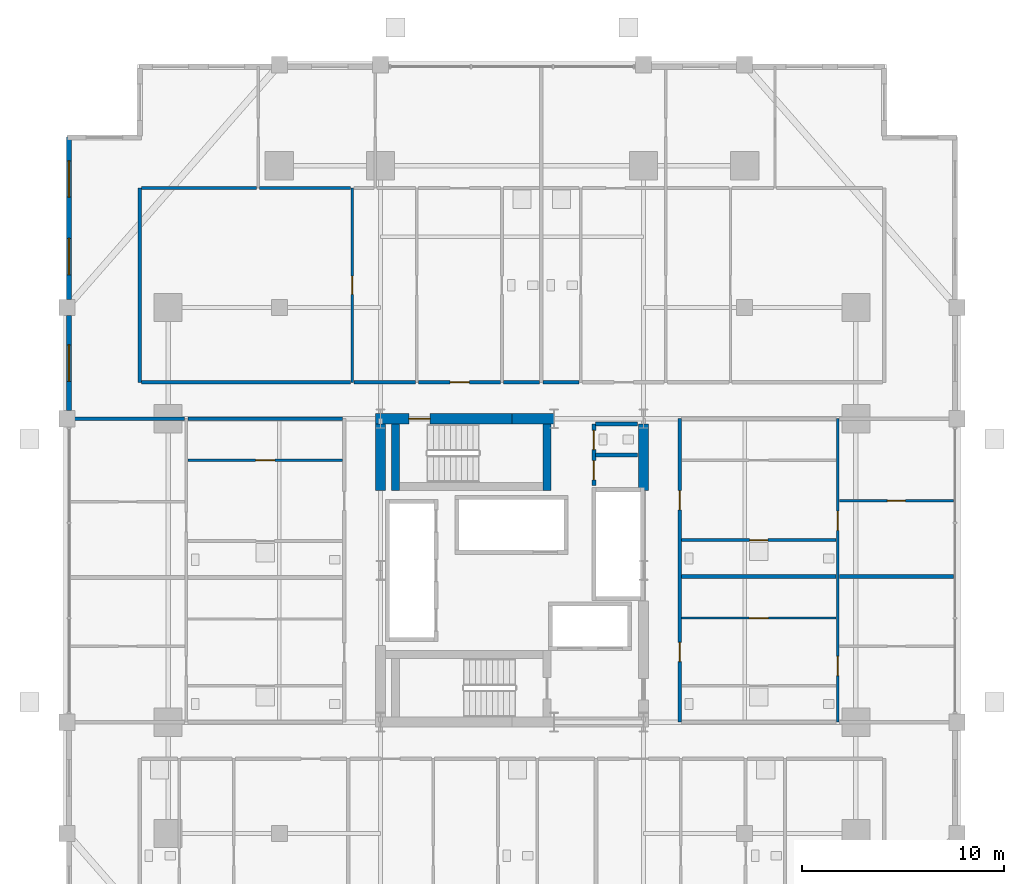
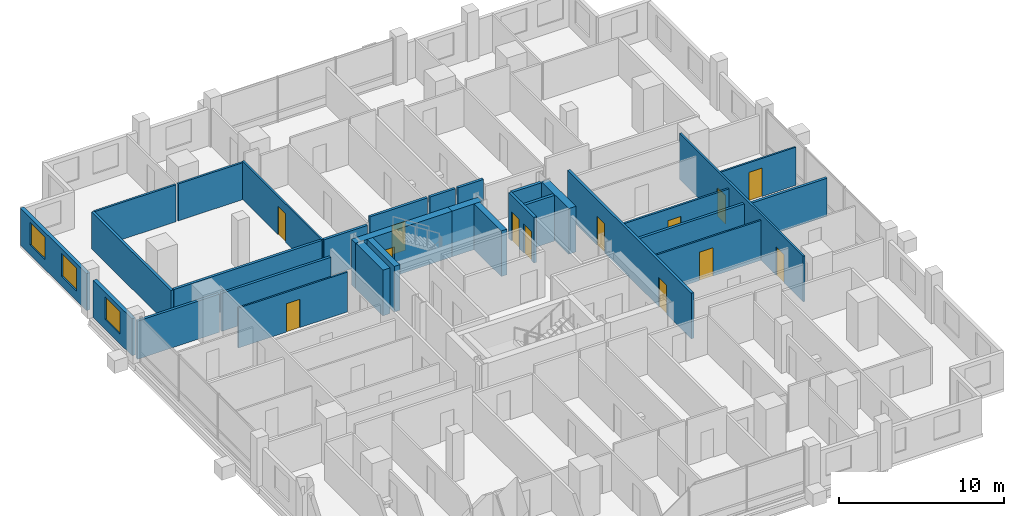
# One storey, part 20 of 24: 30 walls, 13 doors, 3 windows, 16 openings.
"""IFC4 building model written with IfcOpenShell, lengths in metres."""

from ifc_helpers import new_model, si_unit, direction, frame, frame_2d, origin, place, context, subcontext, project, spatial, rectangle, extrude, material, layer, layer_set, type_object, element, fill, save


model = new_model("IFC4")

# Units and contexts
model_context = context("Model", 3, precision=1e-05, world=origin(), true_north=direction((0.0, 1.0)))
body_context = subcontext(model_context, "Body", "Model", "MODEL_VIEW")
ifc_project = project(units=[si_unit("LENGTHUNIT", "METRE"), si_unit("AREAUNIT", "SQUARE_METRE"), si_unit("VOLUMEUNIT", "CUBIC_METRE"), si_unit("PLANEANGLEUNIT", "RADIAN"), si_unit("MASSUNIT", "GRAM", prefix="KILO")], contexts=[model_context])

# Site, building, storey
site_placement = place(None, origin())
site = spatial("IfcSite", under=ifc_project, at=site_placement, CompositionType="ELEMENT")
building_placement = place(site_placement, origin())
building = spatial("IfcBuilding", under=site, at=building_placement, Name="Barlavira Tower and Art Museum", CompositionType="ELEMENT")
storey_placement = place(building_placement, frame((0.0, 0.0, 32.39990234375)))
storey = spatial("IfcBuildingStorey", under=building, at=storey_placement, Name="L06", CompositionType="ELEMENT", Elevation=32.39990234375)

# Wall, opening, door
ifc_material_1 = material(Name="Gypsum acoustic stud partition", Category="gypsum")
ifc_layer_1 = layer(ifc_material_1, 0.1201171875, Name="Gypsum acoustic stud partition")
ifc_layer_set_1 = layer_set([ifc_layer_1], Name="Gypsum acoustic stud partition")
wall_type_1 = type_object("IfcWallType", Name="Apartment Internal Acoustic Partition 120", PredefinedType="PARTITIONING", material=ifc_layer_set_1)
wall_1_placement = place(storey_placement, frame((-7.89990234375, 9.300048828125, 0.0), z_axis=(0.0, 0.0, 1.0), x_axis=(0.0, 1.0, 0.0)))
wall_1 = element("IfcWall", 1, at=wall_1_placement, inside=storey, type_object=wall_type_1, Name="L06 Partition Wall 11", PredefinedType="PARTITIONING", context=body_context, shape_type="SweptSolid", body=[
    extrude(rectangle(XDim=9.599853515625, YDim=0.1201171875, at=frame_2d((4.7998046875, 0.0))), origin(), (0.0, 0.0, 1.0), 2.816162109375),
])
opening_1_placement = place(wall_1_placement, frame((4.35009765625, 0.0, 0.0)))
opening_1 = element("IfcOpeningElement", 2, at=opening_1_placement, cuts=wall_1, Name="Opening D-01", PredefinedType="OPENING", context=body_context, shape_type="SweptSolid", body=[
    extrude(rectangle(XDim=0.89990234375, YDim=2.10009765625, at=frame_2d((0.449951171875, 1.050048828125))), frame((0.0, 0.070068359375, 0.0), z_axis=(0.0, -1.0, 0.0), x_axis=(1.0, 0.0, 0.0)), (0.0, 0.0, 1.0), 0.14013671875),
])
ifc_material_2 = material(Name="Engineered coastal hardwood", Category="wood")
door_type_1 = type_object("IfcDoorType", Name="Internal Bedroom Timber Flush Door 900x2100", OperationType="NOTDEFINED", PredefinedType="DOOR", material=ifc_material_2)
door_1_placement = place(opening_1_placement, origin())
door_1 = element("IfcDoor", 3, at=door_1_placement, inside=storey, type_object=door_type_1, Name="Apartment N1 Walk-In Dressing Room Door", OperationType="SINGLE_SWING_RIGHT", OverallHeight=2.10009765625, OverallWidth=0.89990234375, PredefinedType="DOOR", context=body_context, shape_type="SweptSolid", body=[
    extrude(rectangle(XDim=0.89990234375, YDim=2.10009765625, at=frame_2d((0.449951171875, 1.050048828125))), frame((0.0, 0.02490234375, 0.0), z_axis=(0.0, -1.0, 0.0), x_axis=(1.0, 0.0, 0.0)), (0.0, 0.0, 1.0), 0.050048828125),
])
fill(opening_1, door_1)

wall_2_placement = place(storey_placement, frame((8.3798828125, -2.35009765625, 0.0), z_axis=(0.0, 0.0, 1.0), x_axis=(1.0, 0.0, 0.0)))
wall_2 = element("IfcWall", 4, at=wall_2_placement, inside=storey, type_object=wall_type_1, Name="L06 Partition Wall 67", PredefinedType="PARTITIONING", context=body_context, shape_type="SweptSolid", body=[
    extrude(rectangle(XDim=7.64013671875, YDim=0.1201171875, at=frame_2d((3.820068359375, 0.0))), origin(), (0.0, 0.0, 1.0), 2.947998046875),
])
opening_2_placement = place(wall_2_placement, frame((3.344970703125, 0.0, 0.0)))
opening_2 = element("IfcOpeningElement", 5, at=opening_2_placement, cuts=wall_2, Name="Opening D-02", PredefinedType="OPENING", context=body_context, shape_type="SweptSolid", body=[
    extrude(rectangle(XDim=0.949951171875, YDim=2.10009765625, at=frame_2d((0.47509765625, 1.050048828125))), frame((0.0, 0.070068359375, 0.0), z_axis=(0.0, -1.0, 0.0), x_axis=(1.0, 0.0, 0.0)), (0.0, 0.0, 1.0), 0.14013671875),
])
door_type_2 = type_object("IfcDoorType", Name="Living and Salon Glazed-Leaf Door 950x2100", OperationType="NOTDEFINED", PredefinedType="DOOR", material=ifc_material_2)
door_2_placement = place(opening_2_placement, origin())
door_2 = element("IfcDoor", 6, at=door_2_placement, inside=storey, type_object=door_type_2, Name="Apartment E1 Kitchen Door", OperationType="SINGLE_SWING_LEFT", OverallHeight=2.10009765625, OverallWidth=0.949951171875, PredefinedType="DOOR", context=body_context, shape_type="SweptSolid", body=[
    extrude(rectangle(XDim=0.949951171875, YDim=2.10009765625, at=frame_2d((0.47509765625, 1.050048828125))), frame((0.0, 0.02490234375, 0.0), z_axis=(0.0, -1.0, 0.0), x_axis=(1.0, 0.0, 0.0)), (0.0, 0.0, 1.0), 0.050048828125),
])
fill(opening_2, door_2)

wall_3_placement = place(storey_placement, frame((16.179931640625, 3.449951171875, 0.0), z_axis=(0.0, 0.0, 1.0), x_axis=(1.0, 0.0, 0.0)))
wall_3 = element("IfcWall", 7, at=wall_3_placement, inside=storey, type_object=wall_type_1, Name="L06 Partition Wall 75", PredefinedType="PARTITIONING", context=body_context, shape_type="SweptSolid", body=[
    extrude(rectangle(XDim=5.64013671875, YDim=0.1201171875, at=frame_2d((2.820068359375, 0.0))), origin(), (0.0, 0.0, 1.0), 2.816162109375),
])
opening_3_placement = place(wall_3_placement, frame((2.3701171875, 0.0, 0.0)))
opening_3 = element("IfcOpeningElement", 8, at=opening_3_placement, cuts=wall_3, Name="Opening D-01", PredefinedType="OPENING", context=body_context, shape_type="SweptSolid", body=[
    extrude(rectangle(XDim=0.89990234375, YDim=2.10009765625, at=frame_2d((0.449951171875, 1.050048828125))), frame((0.0, 0.070068359375, 0.0), z_axis=(0.0, -1.0, 0.0), x_axis=(1.0, 0.0, 0.0)), (0.0, 0.0, 1.0), 0.14013671875),
])
door_3_placement = place(opening_3_placement, origin())
door_3 = element("IfcDoor", 9, at=door_3_placement, inside=storey, type_object=door_type_1, Name="Apartment E2 Bedroom 1 Door", OperationType="SINGLE_SWING_RIGHT", OverallHeight=2.10009765625, OverallWidth=0.89990234375, PredefinedType="DOOR", context=body_context, shape_type="SweptSolid", body=[
    extrude(rectangle(XDim=0.89990234375, YDim=2.10009765625, at=frame_2d((0.449951171875, 1.050048828125))), frame((0.0, 0.02490234375, 0.0), z_axis=(0.0, -1.0, 0.0), x_axis=(1.0, 0.0, 0.0)), (0.0, 0.0, 1.0), 0.050048828125),
])
fill(opening_3, door_3)

wall_4_placement = place(storey_placement, frame((-16.02001953125, 5.449951171875, 0.0), z_axis=(0.0, 0.0, 1.0), x_axis=(1.0, 0.0, 0.0)))
wall_4 = element("IfcWall", 10, at=wall_4_placement, inside=storey, type_object=wall_type_1, Name="L06 Partition Wall 76", PredefinedType="PARTITIONING", context=body_context, shape_type="SweptSolid", body=[
    extrude(rectangle(XDim=7.64013671875, YDim=0.1201171875, at=frame_2d((3.820068359375, 0.0))), origin(), (0.0, 0.0, 1.0), 2.947998046875),
])
opening_4_placement = place(wall_4_placement, frame((3.344970703125, 0.0, 0.0)))
opening_4 = element("IfcOpeningElement", 11, at=opening_4_placement, cuts=wall_4, Name="Opening D-02", PredefinedType="OPENING", context=body_context, shape_type="SweptSolid", body=[
    extrude(rectangle(XDim=0.949951171875, YDim=2.10009765625, at=frame_2d((0.47509765625, 1.050048828125))), frame((0.0, 0.070068359375, 0.0), z_axis=(0.0, -1.0, 0.0), x_axis=(1.0, 0.0, 0.0)), (0.0, 0.0, 1.0), 0.14013671875),
])
door_4_placement = place(opening_4_placement, origin())
door_4 = element("IfcDoor", 12, at=door_4_placement, inside=storey, type_object=door_type_2, Name="Apartment W2 Kitchen Door", OperationType="SINGLE_SWING_RIGHT", OverallHeight=2.10009765625, OverallWidth=0.949951171875, PredefinedType="DOOR", context=body_context, shape_type="SweptSolid", body=[
    extrude(rectangle(XDim=0.949951171875, YDim=2.10009765625, at=frame_2d((0.47509765625, 1.050048828125))), frame((0.0, 0.02490234375, 0.0), z_axis=(0.0, -1.0, 0.0), x_axis=(1.0, 0.0, 0.0)), (0.0, 0.0, 1.0), 0.050048828125),
])
fill(opening_4, door_4)

ifc_material_3 = material(Name="Concrete C60", Category="concrete")
ifc_layer_2 = layer(ifc_material_3, 0.5, Name="Concrete C60")
ifc_layer_set_2 = layer_set([ifc_layer_2], Name="Concrete C60")
wall_type_2 = type_object("IfcWallType", Name="Core Structural Shear Wall 500 Concrete C60", PredefinedType="SHEAR", material=ifc_layer_set_2)
wall_5_placement = place(storey_placement, frame((-6.75, 7.5, 0.0), z_axis=(0.0, 0.0, 1.0), x_axis=(1.0, 0.0, 0.0)))
wall_5 = element("IfcWall", 13, at=wall_5_placement, inside=storey, type_object=wall_type_2, Name="L06 Core Shear Wall CS-NW", PredefinedType="SHEAR", context=body_context, shape_type="SweptSolid", body=[
    extrude(rectangle(XDim=6.75, YDim=0.5, at=frame_2d((3.375, 0.0))), origin(), (0.0, 0.0, 1.0), 3.380126953125),
])
opening_5_placement = place(wall_5_placement, frame((1.64990234375, 0.0, 0.0)))
opening_5 = element("IfcOpeningElement", 14, at=opening_5_placement, cuts=wall_5, Name="Opening FD-90", PredefinedType="OPENING", context=body_context, shape_type="SweptSolid", body=[
    extrude(rectangle(XDim=1.050048828125, YDim=2.14990234375, at=frame_2d((0.52490234375, 1.074951171875))), frame((0.0, 0.260009765625, 0.0), z_axis=(0.0, -1.0, 0.0), x_axis=(1.0, 0.0, 0.0)), (0.0, 0.0, 1.0), 0.52001953125),
])
ifc_material_4 = material(Name="Brushed stainless steel", Category="steel")
door_type_3 = type_object("IfcDoorType", Name="Stair and Refuge Fire Door 1050x2150 FD90S", OperationType="NOTDEFINED", PredefinedType="DOOR", material=ifc_material_4)
door_5_placement = place(opening_5_placement, origin())
door_5 = element("IfcDoor", 15, at=door_5_placement, inside=storey, type_object=door_type_3, Name="L06 Stair ST-T2 Fire Door", OperationType="SINGLE_SWING_LEFT", OverallHeight=2.14990234375, OverallWidth=1.050048828125, PredefinedType="DOOR", context=body_context, shape_type="SweptSolid", body=[
    extrude(rectangle(XDim=1.050048828125, YDim=2.14990234375, at=frame_2d((0.52490234375, 1.074951171875))), frame((0.0, 0.02490234375, 0.0), z_axis=(0.0, -1.0, 0.0), x_axis=(1.0, 0.0, 0.0)), (0.0, 0.0, 1.0), 0.050048828125),
])
fill(opening_5, door_5)

# Walls
wall_6_placement = place(storey_placement, frame((0.0, 7.5, 0.0), z_axis=(0.0, 0.0, 1.0), x_axis=(1.0, 0.0, 0.0)))
element("IfcWall", 16, at=wall_6_placement, inside=storey, type_object=wall_type_2, Name="L06 Core Shear Wall CS-EN", PredefinedType="SHEAR", context=body_context, shape_type="SweptSolid", body=[
    extrude(rectangle(XDim=2.080078125, YDim=0.5, at=frame_2d((1.0400390625, 0.0))), origin(), (0.0, 0.0, 1.0), 3.380126953125),
])
for number, where, z_axis, x_axis, name in (
    (17, (-6.5, 3.949951171875, 0.0), (0.0, 0.0, 1.0), (0.0, 1.0, 0.0), "L06 Core Shear Wall CS-W2"),
    (18, (6.5, 3.949951171875, 0.0), (0.0, 0.0, 1.0), (0.0, 1.0, 0.0), "L06 Core Shear Wall CS-E2"),
):
    element("IfcWall", number, at=place(storey_placement, frame(where, z_axis=z_axis, x_axis=x_axis)), inside=storey, type_object=wall_type_2, Name=name, PredefinedType="SHEAR", context=body_context, shape_type="SweptSolid", body=[
        extrude(rectangle(XDim=3.300048828125, YDim=0.5, at=frame_2d((1.64990234375, 0.0))), origin(), (0.0, 0.0, 1.0), 3.380126953125),
    ])

# Wall, openings, doors
ifc_material_5 = material(Name="Autoclaved aerated concrete masonry", Category="masonry")
ifc_layer_3 = layer(ifc_material_5, 0.199951171875, Name="Autoclaved aerated concrete masonry")
ifc_layer_set_3 = layer_set([ifc_layer_3], Name="Autoclaved aerated concrete masonry")
wall_type_3 = type_object("IfcWallType", Name="Fire Compartment and Shaft Wall 200", PredefinedType="SOLIDWALL", material=ifc_layer_set_3)
wall_7_placement = place(storey_placement, frame((4.050048828125, 4.199951171875, 0.0), z_axis=(0.0, 0.0, 1.0), x_axis=(0.0, 1.0, 0.0)))
wall_7 = element("IfcWall", 19, at=wall_7_placement, inside=storey, type_object=wall_type_3, Name="L06 Partition Wall 20", PredefinedType="SOLIDWALL", context=body_context, shape_type="SweptSolid", body=[
    extrude(rectangle(XDim=3.050048828125, YDim=0.199951171875, at=frame_2d((1.52490234375, 0.0))), origin(), (0.0, 0.0, 1.0), 3.380126953125),
])
opening_6_placement = place(wall_7_placement, frame((0.27490234375, 0.0, 0.0)))
opening_6 = element("IfcOpeningElement", 20, at=opening_6_placement, cuts=wall_7, Name="Opening FD-60", PredefinedType="OPENING", context=body_context, shape_type="SweptSolid", body=[
    extrude(rectangle(XDim=0.949951171875, YDim=2.14990234375, at=frame_2d((0.47509765625, 1.074951171875))), frame((0.0, 0.10986328125, 0.0), z_axis=(0.0, -1.0, 0.0), x_axis=(1.0, 0.0, 0.0)), (0.0, 0.0, 1.0), 0.219970703125),
])
opening_7_placement = place(wall_7_placement, frame((1.77490234375, 0.0, 0.0)))
opening_7 = element("IfcOpeningElement", 21, at=opening_7_placement, cuts=wall_7, Name="Opening FD-60", PredefinedType="OPENING", context=body_context, shape_type="SweptSolid", body=[
    extrude(rectangle(XDim=0.949951171875, YDim=2.14990234375, at=frame_2d((0.47509765625, 1.074951171875))), frame((0.0, 0.10986328125, 0.0), z_axis=(0.0, -1.0, 0.0), x_axis=(1.0, 0.0, 0.0)), (0.0, 0.0, 1.0), 0.219970703125),
])
door_type_4 = type_object("IfcDoorType", Name="Apartment Entrance and Riser Fire Door 950x2150 FD60S", OperationType="NOTDEFINED", PredefinedType="DOOR", material=ifc_material_4)
door_6_placement = place(opening_6_placement, origin())
door_6 = element("IfcDoor", 22, at=door_6_placement, inside=storey, type_object=door_type_4, Name="Electrical Switchgear Room Door", OperationType="SINGLE_SWING_LEFT", OverallHeight=2.14990234375, OverallWidth=0.949951171875, PredefinedType="DOOR", context=body_context, shape_type="SweptSolid", body=[
    extrude(rectangle(XDim=0.949951171875, YDim=2.14990234375, at=frame_2d((0.47509765625, 1.074951171875))), frame((0.0, 0.02490234375, 0.0), z_axis=(0.0, -1.0, 0.0), x_axis=(1.0, 0.0, 0.0)), (0.0, 0.0, 1.0), 0.050048828125),
])
fill(opening_6, door_6)
door_7_placement = place(opening_7_placement, origin())
door_7 = element("IfcDoor", 23, at=door_7_placement, inside=storey, type_object=door_type_4, Name="Core Staff Toilet Door", OperationType="SINGLE_SWING_RIGHT", OverallHeight=2.14990234375, OverallWidth=0.949951171875, PredefinedType="DOOR", context=body_context, shape_type="SweptSolid", body=[
    extrude(rectangle(XDim=0.949951171875, YDim=2.14990234375, at=frame_2d((0.47509765625, 1.074951171875))), frame((0.0, 0.02490234375, 0.0), z_axis=(0.0, -1.0, 0.0), x_axis=(1.0, 0.0, 0.0)), (0.0, 0.0, 1.0), 0.050048828125),
])
fill(opening_7, door_7)

# Walls
for number, where, z_axis, x_axis, name in (
    (24, (4.1298828125, 5.699951171875, 0.0), (0.0, 0.0, 1.0), (1.0, 0.0, 0.0), "L06 Partition Wall 78"),
    (25, (4.1298828125, 7.25, 0.0), (0.0, 0.0, 1.0), (1.0, 0.0, 0.0), "L06 Partition Wall 79"),
):
    element("IfcWall", number, at=place(storey_placement, frame(where, z_axis=z_axis, x_axis=x_axis)), inside=storey, type_object=wall_type_3, Name=name, PredefinedType="SOLIDWALL", context=body_context, shape_type="SweptSolid", body=[
        extrude(rectangle(XDim=2.070068359375, YDim=0.199951171875, at=frame_2d((1.03515625, 0.0))), origin(), (0.0, 0.0, 1.0), 3.380126953125),
    ])
ifc_layer_4 = layer(ifc_material_1, 0.179931640625, Name="Gypsum acoustic stud partition")
ifc_layer_set_4 = layer_set([ifc_layer_4], Name="Gypsum acoustic stud partition")
wall_type_4 = type_object("IfcWallType", Name="Inter-Tenancy Party Partition Wall 180", PredefinedType="PARTITIONING", material=ifc_layer_set_4)
wall_8_placement = place(storey_placement, frame((-18.39990234375, 9.300048828125, 0.0), z_axis=(0.0, 0.0, 1.0), x_axis=(0.0, 1.0, 0.0)))
element("IfcWall", 26, at=wall_8_placement, inside=storey, type_object=wall_type_4, Name="L06 Partition Wall 2", PredefinedType="PARTITIONING", context=body_context, shape_type="SweptSolid", body=[
    extrude(rectangle(XDim=9.599853515625, YDim=0.179931640625, at=frame_2d((4.7998046875, 0.0))), origin(), (0.0, 0.0, 1.0), 2.736083984375),
])

# Wall, openings, doors
wall_9_placement = place(storey_placement, frame((8.300048828125, -7.5, 0.0), z_axis=(0.0, 0.0, 1.0), x_axis=(0.0, 1.0, 0.0)))
wall_9 = element("IfcWall", 27, at=wall_9_placement, inside=storey, type_object=wall_type_4, Name="L06 Partition Wall 23", PredefinedType="PARTITIONING", context=body_context, shape_type="SweptSolid", body=[
    extrude(rectangle(XDim=15.0, YDim=0.179931640625, at=frame_2d((7.5, 0.0))), origin(), (0.0, 0.0, 1.0), 3.380126953125),
])
opening_8_placement = place(wall_9_placement, frame((2.9951171875, 0.0, 0.0)))
opening_8 = element("IfcOpeningElement", 28, at=opening_8_placement, cuts=wall_9, Name="Opening FD-60", PredefinedType="OPENING", context=body_context, shape_type="SweptSolid", body=[
    extrude(rectangle(XDim=0.949951171875, YDim=2.14990234375, at=frame_2d((0.47509765625, 1.074951171875))), frame((0.0, 0.10009765625, 0.0), z_axis=(0.0, -1.0, 0.0), x_axis=(1.0, 0.0, 0.0)), (0.0, 0.0, 1.0), 0.199951171875),
])
opening_9_placement = place(wall_9_placement, frame((10.4951171875, 0.0, 0.0)))
opening_9 = element("IfcOpeningElement", 29, at=opening_9_placement, cuts=wall_9, Name="Opening FD-60", PredefinedType="OPENING", context=body_context, shape_type="SweptSolid", body=[
    extrude(rectangle(XDim=0.949951171875, YDim=2.14990234375, at=frame_2d((0.47509765625, 1.074951171875))), frame((0.0, 0.10009765625, 0.0), z_axis=(0.0, -1.0, 0.0), x_axis=(1.0, 0.0, 0.0)), (0.0, 0.0, 1.0), 0.199951171875),
])
door_8_placement = place(opening_8_placement, origin())
door_8 = element("IfcDoor", 30, at=door_8_placement, inside=storey, type_object=door_type_4, Name="Apartment Entrance Hall E1 Door", OperationType="SINGLE_SWING_RIGHT", OverallHeight=2.14990234375, OverallWidth=0.949951171875, PredefinedType="DOOR", context=body_context, shape_type="SweptSolid", body=[
    extrude(rectangle(XDim=0.949951171875, YDim=2.14990234375, at=frame_2d((0.47509765625, 1.074951171875))), frame((0.0, 0.02490234375, 0.0), z_axis=(0.0, -1.0, 0.0), x_axis=(1.0, 0.0, 0.0)), (0.0, 0.0, 1.0), 0.050048828125),
])
fill(opening_8, door_8)
door_9_placement = place(opening_9_placement, origin())
door_9 = element("IfcDoor", 31, at=door_9_placement, inside=storey, type_object=door_type_4, Name="Apartment Entrance Hall E2 Door", OperationType="SINGLE_SWING_LEFT", OverallHeight=2.14990234375, OverallWidth=0.949951171875, PredefinedType="DOOR", context=body_context, shape_type="SweptSolid", body=[
    extrude(rectangle(XDim=0.949951171875, YDim=2.14990234375, at=frame_2d((0.47509765625, 1.074951171875))), frame((0.0, 0.02490234375, 0.0), z_axis=(0.0, -1.0, 0.0), x_axis=(1.0, 0.0, 0.0)), (0.0, 0.0, 1.0), 0.050048828125),
])
fill(opening_9, door_9)

# Walls
wall_10_placement = place(storey_placement, frame((8.3798828125, -0.300048828125, 0.0), z_axis=(0.0, 0.0, 1.0), x_axis=(1.0, 0.0, 0.0)))
element("IfcWall", 32, at=wall_10_placement, inside=storey, type_object=wall_type_4, Name="L06 Partition Wall 70", PredefinedType="PARTITIONING", context=body_context, shape_type="SweptSolid", body=[
    extrude(rectangle(XDim=7.64013671875, YDim=0.179931640625, at=frame_2d((3.820068359375, 0.0))), origin(), (0.0, 0.0, 1.0), 2.947998046875),
])
wall_11_placement = place(storey_placement, frame((16.179931640625, -0.300048828125, 0.0), z_axis=(0.0, 0.0, 1.0), x_axis=(1.0, 0.0, 0.0)))
element("IfcWall", 33, at=wall_11_placement, inside=storey, type_object=wall_type_4, Name="L06 Partition Wall 71", PredefinedType="PARTITIONING", context=body_context, shape_type="SweptSolid", body=[
    extrude(rectangle(XDim=5.64013671875, YDim=0.179931640625, at=frame_2d((2.820068359375, 0.0))), origin(), (0.0, 0.0, 1.0), 2.816162109375),
])
wall_12_placement = place(storey_placement, frame((-21.89990234375, 7.5, 0.0), z_axis=(0.0, 0.0, 1.0), x_axis=(1.0, 0.0, 0.0)))
element("IfcWall", 34, at=wall_12_placement, inside=storey, type_object=wall_type_4, Name="L06 Partition Wall 80", PredefinedType="PARTITIONING", context=body_context, shape_type="SweptSolid", body=[
    extrude(rectangle(XDim=5.719970703125, YDim=0.179931640625, at=frame_2d((2.85986328125, 0.0))), origin(), (0.0, 0.0, 1.0), 2.816162109375),
])
wall_13_placement = place(storey_placement, frame((-16.02001953125, 7.5, 0.0), z_axis=(0.0, 0.0, 1.0), x_axis=(1.0, 0.0, 0.0)))
element("IfcWall", 35, at=wall_13_placement, inside=storey, type_object=wall_type_4, Name="L06 Partition Wall 81", PredefinedType="PARTITIONING", context=body_context, shape_type="SweptSolid", body=[
    extrude(rectangle(XDim=7.64013671875, YDim=0.179931640625, at=frame_2d((3.820068359375, 0.0))), origin(), (0.0, 0.0, 1.0), 2.816162109375),
])
wall_14_placement = place(storey_placement, frame((-18.320068359375, 9.300048828125, 0.0), z_axis=(0.0, 0.0, 1.0), x_axis=(1.0, 0.0, 0.0)))
element("IfcWall", 36, at=wall_14_placement, inside=storey, type_object=wall_type_4, Name="L06 Partition Wall 84", PredefinedType="PARTITIONING", context=body_context, shape_type="SweptSolid", body=[
    extrude(rectangle(XDim=10.340087890625, YDim=0.179931640625, at=frame_2d((5.169921875, 0.0))), origin(), (0.0, 0.0, 1.0), 2.816162109375),
])
wall_15_placement = place(storey_placement, frame((-7.820068359375, 9.300048828125, 0.0), z_axis=(0.0, 0.0, 1.0), x_axis=(1.0, 0.0, 0.0)))
element("IfcWall", 37, at=wall_15_placement, inside=storey, type_object=wall_type_4, Name="L06 Partition Wall 85", PredefinedType="PARTITIONING", context=body_context, shape_type="SweptSolid", body=[
    extrude(rectangle(XDim=3.0400390625, YDim=0.179931640625, at=frame_2d((1.52001953125, 0.0))), origin(), (0.0, 0.0, 1.0), 2.816162109375),
])

# Wall, opening, door
wall_16_placement = place(storey_placement, frame((-4.6201171875, 9.300048828125, 0.0), z_axis=(0.0, 0.0, 1.0), x_axis=(1.0, 0.0, 0.0)))
wall_16 = element("IfcWall", 38, at=wall_16_placement, inside=storey, type_object=wall_type_4, Name="L06 Partition Wall 86", PredefinedType="PARTITIONING", context=body_context, shape_type="SweptSolid", body=[
    extrude(rectangle(XDim=4.0400390625, YDim=0.179931640625, at=frame_2d((2.02001953125, 0.0))), origin(), (0.0, 0.0, 1.0), 3.380126953125),
])
opening_10_placement = place(wall_16_placement, frame((1.56494140625, 0.0, 0.0)))
opening_10 = element("IfcOpeningElement", 39, at=opening_10_placement, cuts=wall_16, Name="Opening FD-60", PredefinedType="OPENING", context=body_context, shape_type="SweptSolid", body=[
    extrude(rectangle(XDim=0.949951171875, YDim=2.14990234375, at=frame_2d((0.47509765625, 1.074951171875))), frame((0.0, 0.10009765625, 0.0), z_axis=(0.0, -1.0, 0.0), x_axis=(1.0, 0.0, 0.0)), (0.0, 0.0, 1.0), 0.199951171875),
])
door_10_placement = place(opening_10_placement, origin())
door_10 = element("IfcDoor", 40, at=door_10_placement, inside=storey, type_object=door_type_4, Name="Apartment Entrance Hall N1 Door", OperationType="SINGLE_SWING_RIGHT", OverallHeight=2.14990234375, OverallWidth=0.949951171875, PredefinedType="DOOR", context=body_context, shape_type="SweptSolid", body=[
    extrude(rectangle(XDim=0.949951171875, YDim=2.14990234375, at=frame_2d((0.47509765625, 1.074951171875))), frame((0.0, 0.02490234375, 0.0), z_axis=(0.0, -1.0, 0.0), x_axis=(1.0, 0.0, 0.0)), (0.0, 0.0, 1.0), 0.050048828125),
])
fill(opening_10, door_10)

# Walls
for number, where, z_axis, x_axis, name in (
    (41, (-0.419921875, 9.300048828125, 0.0), (0.0, 0.0, 1.0), (1.0, 0.0, 0.0), "L06 Partition Wall 87"),
    (42, (1.530029296875, 9.300048828125, 0.0), (0.0, 0.0, 1.0), (1.0, 0.0, 0.0), "L06 Partition Wall 88"),
):
    element("IfcWall", number, at=place(storey_placement, frame(where, z_axis=z_axis, x_axis=x_axis)), inside=storey, type_object=wall_type_4, Name=name, PredefinedType="PARTITIONING", context=body_context, shape_type="SweptSolid", body=[
        extrude(rectangle(XDim=1.7900390625, YDim=0.179931640625, at=frame_2d((0.89501953125, 0.0))), origin(), (0.0, 0.0, 1.0), 3.380126953125),
    ])

# Wall, openings, doors
ifc_layer_5 = layer(ifc_material_1, 0.139892578125, Name="Gypsum acoustic stud partition")
ifc_layer_set_5 = layer_set([ifc_layer_5], Name="Gypsum acoustic stud partition")
wall_type_5 = type_object("IfcWallType", Name="Moisture-Resistant Bathroom Partition 140", PredefinedType="PARTITIONING", material=ifc_layer_set_5)
wall_17_placement = place(storey_placement, frame((16.10009765625, -7.5, 0.0), z_axis=(0.0, 0.0, 1.0), x_axis=(0.0, 1.0, 0.0)))
wall_17 = element("IfcWall", 43, at=wall_17_placement, inside=storey, type_object=wall_type_5, Name="L06 Partition Wall 30", PredefinedType="PARTITIONING", context=body_context, shape_type="SweptSolid", body=[
    extrude(rectangle(XDim=15.0, YDim=0.139892578125, at=frame_2d((7.5, 0.0))), origin(), (0.0, 0.0, 1.0), 3.380126953125),
])
opening_11_placement = place(wall_17_placement, frame((2.304931640625, 0.0, 0.0)))
opening_11 = element("IfcOpeningElement", 44, at=opening_11_placement, cuts=wall_17, Name="Opening D-02", PredefinedType="OPENING", context=body_context, shape_type="SweptSolid", body=[
    extrude(rectangle(XDim=0.949951171875, YDim=2.10009765625, at=frame_2d((0.47509765625, 1.050048828125))), frame((0.0, 0.080078125, 0.0), z_axis=(0.0, -1.0, 0.0), x_axis=(1.0, 0.0, 0.0)), (0.0, 0.0, 1.0), 0.159912109375),
])
opening_12_placement = place(wall_17_placement, frame((9.485107421875, 0.0, 0.0)))
opening_12 = element("IfcOpeningElement", 45, at=opening_12_placement, cuts=wall_17, Name="Opening D-02", PredefinedType="OPENING", context=body_context, shape_type="SweptSolid", body=[
    extrude(rectangle(XDim=0.949951171875, YDim=2.10009765625, at=frame_2d((0.47509765625, 1.050048828125))), frame((0.0, 0.080078125, 0.0), z_axis=(0.0, -1.0, 0.0), x_axis=(1.0, 0.0, 0.0)), (0.0, 0.0, 1.0), 0.159912109375),
])
door_11_placement = place(opening_11_placement, origin())
door_11 = element("IfcDoor", 46, at=door_11_placement, inside=storey, type_object=door_type_2, Name="Apartment E1 Living Lounge Door", OperationType="SINGLE_SWING_RIGHT", OverallHeight=2.10009765625, OverallWidth=0.949951171875, PredefinedType="DOOR", context=body_context, shape_type="SweptSolid", body=[
    extrude(rectangle(XDim=0.949951171875, YDim=2.10009765625, at=frame_2d((0.47509765625, 1.050048828125))), frame((0.0, 0.02490234375, 0.0), z_axis=(0.0, -1.0, 0.0), x_axis=(1.0, 0.0, 0.0)), (0.0, 0.0, 1.0), 0.050048828125),
])
fill(opening_11, door_11)
door_12_placement = place(opening_12_placement, origin())
door_12 = element("IfcDoor", 47, at=door_12_placement, inside=storey, type_object=door_type_2, Name="Apartment E2 Living Lounge Door", OperationType="SINGLE_SWING_LEFT", OverallHeight=2.10009765625, OverallWidth=0.949951171875, PredefinedType="DOOR", context=body_context, shape_type="SweptSolid", body=[
    extrude(rectangle(XDim=0.949951171875, YDim=2.10009765625, at=frame_2d((0.47509765625, 1.050048828125))), frame((0.0, 0.02490234375, 0.0), z_axis=(0.0, -1.0, 0.0), x_axis=(1.0, 0.0, 0.0)), (0.0, 0.0, 1.0), 0.050048828125),
])
fill(opening_12, door_12)

# Wall, opening, door
wall_18_placement = place(storey_placement, frame((8.3798828125, 1.5, 0.0), z_axis=(0.0, 0.0, 1.0), x_axis=(1.0, 0.0, 0.0)))
wall_18 = element("IfcWall", 48, at=wall_18_placement, inside=storey, type_object=wall_type_5, Name="L06 Partition Wall 73", PredefinedType="PARTITIONING", context=body_context, shape_type="SweptSolid", body=[
    extrude(rectangle(XDim=7.64013671875, YDim=0.139892578125, at=frame_2d((3.820068359375, 0.0))), origin(), (0.0, 0.0, 1.0), 2.947998046875),
])
opening_13_placement = place(wall_18_placement, frame((3.3701171875, 0.0, 0.0)))
opening_13 = element("IfcOpeningElement", 49, at=opening_13_placement, cuts=wall_18, Name="Opening D-WC", PredefinedType="OPENING", context=body_context, shape_type="SweptSolid", body=[
    extrude(rectangle(XDim=0.89990234375, YDim=2.10009765625, at=frame_2d((0.449951171875, 1.050048828125))), frame((0.0, 0.080078125, 0.0), z_axis=(0.0, -1.0, 0.0), x_axis=(1.0, 0.0, 0.0)), (0.0, 0.0, 1.0), 0.159912109375),
])
door_type_5 = type_object("IfcDoorType", Name="Accessible Bathroom Flush Door 900x2100", OperationType="NOTDEFINED", PredefinedType="DOOR", material=ifc_material_2)
door_13_placement = place(opening_13_placement, origin())
door_13 = element("IfcDoor", 50, at=door_13_placement, inside=storey, type_object=door_type_5, Name="Apartment E2 Hall Bathroom Door", OperationType="SINGLE_SWING_RIGHT", OverallHeight=2.10009765625, OverallWidth=0.89990234375, PredefinedType="DOOR", context=body_context, shape_type="SweptSolid", body=[
    extrude(rectangle(XDim=0.89990234375, YDim=2.10009765625, at=frame_2d((0.449951171875, 1.050048828125))), frame((0.0, 0.02490234375, 0.0), z_axis=(0.0, -1.0, 0.0), x_axis=(1.0, 0.0, 0.0)), (0.0, 0.0, 1.0), 0.050048828125),
])
fill(opening_13, door_13)

# Walls
wall_19_placement = place(storey_placement, frame((-18.320068359375, 18.89990234375, 0.0), z_axis=(0.0, 0.0, 1.0), x_axis=(1.0, 0.0, 0.0)))
element("IfcWall", 51, at=wall_19_placement, inside=storey, type_object=wall_type_5, Name="L06 Partition Wall 92", PredefinedType="PARTITIONING", context=body_context, shape_type="SweptSolid", body=[
    extrude(rectangle(XDim=5.690185546875, YDim=0.139892578125, at=frame_2d((2.84521484375, 0.0))), origin(), (0.0, 0.0, 1.0), 2.736083984375),
])
wall_20_placement = place(storey_placement, frame((-12.469970703125, 18.89990234375, 0.0), z_axis=(0.0, 0.0, 1.0), x_axis=(1.0, 0.0, 0.0)))
element("IfcWall", 52, at=wall_20_placement, inside=storey, type_object=wall_type_5, Name="L06 Partition Wall 93", PredefinedType="PARTITIONING", context=body_context, shape_type="SweptSolid", body=[
    extrude(rectangle(XDim=4.489990234375, YDim=0.139892578125, at=frame_2d((2.2451171875, 0.0))), origin(), (0.0, 0.0, 1.0), 2.736083984375),
])

# Wall, openings, windows
ifc_material_6 = material(Name="Precast concrete C40", Category="concrete")
ifc_layer_6 = layer(ifc_material_6, 0.25, Name="Precast concrete C40")
ifc_layer_set_6 = layer_set([ifc_layer_6], Name="Precast concrete C40")
wall_type_6 = type_object("IfcWallType", Name="Notched Corner Spandrel Wall 250 Precast Concrete C40", PredefinedType="SOLIDWALL", material=ifc_layer_set_6)
wall_21_placement = place(storey_placement, frame((-21.89990234375, 21.425048828125, 0.0), z_axis=(0.0, 0.0, 1.0), x_axis=(0.0, -1.0, 0.0)))
wall_21 = element("IfcWall", 53, at=wall_21_placement, inside=storey, type_object=wall_type_6, Name="L06 Coastal Facade Pier Wall CW1-L06-W-1", PredefinedType="SOLIDWALL", context=body_context, shape_type="SweptSolid", body=[
    extrude(rectangle(XDim=8.030029296875, YDim=0.25, at=frame_2d((4.01513671875, 0.0))), origin(), (0.0, 0.0, 1.0), 2.736083984375),
])
opening_14_placement = place(wall_21_placement, frame((1.176025390625, 0.0, 0.719970703125)))
opening_14 = element("IfcOpeningElement", 54, at=opening_14_placement, cuts=wall_21, Name="Opening WN-01", PredefinedType="OPENING", context=body_context, shape_type="SweptSolid", body=[
    extrude(rectangle(XDim=1.800048828125, YDim=1.679931640625, at=frame_2d((0.89990234375, 0.83984375))), frame((0.0, 0.135009765625, 0.0), z_axis=(0.0, -1.0, 0.0), x_axis=(1.0, 0.0, 0.0)), (0.0, 0.0, 1.0), 0.27001953125),
])
opening_15_placement = place(wall_21_placement, frame((5.009033203125, 0.0, 0.719970703125)))
opening_15 = element("IfcOpeningElement", 55, at=opening_15_placement, cuts=wall_21, Name="Opening WN-01", PredefinedType="OPENING", context=body_context, shape_type="SweptSolid", body=[
    extrude(rectangle(XDim=1.800048828125, YDim=1.679931640625, at=frame_2d((0.89990234375, 0.83984375))), frame((0.0, 0.135009765625, 0.0), z_axis=(0.0, -1.0, 0.0), x_axis=(1.0, 0.0, 0.0)), (0.0, 0.0, 1.0), 0.27001953125),
])
ifc_material_7 = material(Name="Low-iron coastal laminated glass", Category="glass")
window_type = type_object("IfcWindowType", Name="Recessed Notch Corner Punch Window 1800x1680", PartitioningType="SINGLE_PANEL", PredefinedType="WINDOW", material=ifc_material_7)
window_1_placement = place(opening_14_placement, origin())
window_1 = element("IfcWindow", 56, at=window_1_placement, inside=storey, type_object=window_type, Name="L06 Punched Facade Window EWP-CW1-L06-W-1-1", OverallHeight=1.679931640625, OverallWidth=1.800048828125, PartitioningType="SINGLE_PANEL", PredefinedType="WINDOW", context=body_context, shape_type="SweptSolid", body=[
    extrude(rectangle(XDim=1.800048828125, YDim=1.679931640625, at=frame_2d((0.89990234375, 0.83984375))), frame((0.0, 0.030029296875, 0.0), z_axis=(0.0, -1.0, 0.0), x_axis=(1.0, 0.0, 0.0)), (0.0, 0.0, 1.0), 0.06005859375),
])
fill(opening_14, window_1)
window_2_placement = place(opening_15_placement, origin())
window_2 = element("IfcWindow", 57, at=window_2_placement, inside=storey, type_object=window_type, Name="L06 Punched Facade Window EWP-CW1-L06-W-1-2", OverallHeight=1.679931640625, OverallWidth=1.800048828125, PartitioningType="SINGLE_PANEL", PredefinedType="WINDOW", context=body_context, shape_type="SweptSolid", body=[
    extrude(rectangle(XDim=1.800048828125, YDim=1.679931640625, at=frame_2d((0.89990234375, 0.83984375))), frame((0.0, 0.030029296875, 0.0), z_axis=(0.0, -1.0, 0.0), x_axis=(1.0, 0.0, 0.0)), (0.0, 0.0, 1.0), 0.06005859375),
])
fill(opening_15, window_2)

# Wall, opening, window
wall_22_placement = place(storey_placement, frame((-21.89990234375, 12.60498046875, 0.0), z_axis=(0.0, 0.0, 1.0), x_axis=(0.0, -1.0, 0.0)))
wall_22 = element("IfcWall", 58, at=wall_22_placement, inside=storey, type_object=wall_type_6, Name="L06 Coastal Facade Pier Wall CW1-L06-W-2", PredefinedType="SOLIDWALL", context=body_context, shape_type="SweptSolid", body=[
    extrude(rectangle(XDim=4.7099609375, YDim=0.25, at=frame_2d((2.35498046875, 0.0))), origin(), (0.0, 0.0, 1.0), 2.736083984375),
])
opening_16_placement = place(wall_22_placement, frame((1.455078125, 0.0, 0.719970703125)))
opening_16 = element("IfcOpeningElement", 59, at=opening_16_placement, cuts=wall_22, Name="Opening WN-01", PredefinedType="OPENING", context=body_context, shape_type="SweptSolid", body=[
    extrude(rectangle(XDim=1.800048828125, YDim=1.679931640625, at=frame_2d((0.89990234375, 0.83984375))), frame((0.0, 0.135009765625, 0.0), z_axis=(0.0, -1.0, 0.0), x_axis=(1.0, 0.0, 0.0)), (0.0, 0.0, 1.0), 0.27001953125),
])
window_3_placement = place(opening_16_placement, origin())
window_3 = element("IfcWindow", 60, at=window_3_placement, inside=storey, type_object=window_type, Name="L06 Punched Facade Window EWP-CW1-L06-W-2-1", OverallHeight=1.679931640625, OverallWidth=1.800048828125, PartitioningType="SINGLE_PANEL", PredefinedType="WINDOW", context=body_context, shape_type="SweptSolid", body=[
    extrude(rectangle(XDim=1.800048828125, YDim=1.679931640625, at=frame_2d((0.89990234375, 0.83984375))), frame((0.0, 0.030029296875, 0.0), z_axis=(0.0, -1.0, 0.0), x_axis=(1.0, 0.0, 0.0)), (0.0, 0.0, 1.0), 0.06005859375),
])
fill(opening_16, window_3)

# Walls
ifc_material_8 = material(Name="Concrete C55", Category="concrete")
ifc_layer_7 = layer(ifc_material_8, 0.39990234375, Name="Concrete C55")
ifc_layer_set_7 = layer_set([ifc_layer_7], Name="Concrete C55")
wall_type_7 = type_object("IfcWallType", Name="Upper Core Shear Wall 400 Concrete C55", PredefinedType="SHEAR", material=ifc_layer_set_7)
for number, where, z_axis, x_axis, name in (
    (61, (1.72998046875, 3.949951171875, 0.0), (0.0, 0.0, 1.0), (0.0, 1.0, 0.0), "L06 ST-T2 East Half-Landing Wall"),
    (62, (-5.75, 3.949951171875, 0.0), (0.0, 0.0, 1.0), (0.0, 1.0, 0.0), "L06 ST-T2 West Shaft Wall"),
):
    element("IfcWall", number, at=place(storey_placement, frame(where, z_axis=z_axis, x_axis=x_axis)), inside=storey, type_object=wall_type_7, Name=name, PredefinedType="SHEAR", context=body_context, shape_type="SweptSolid", body=[
        extrude(rectangle(XDim=3.300048828125, YDim=0.39990234375, at=frame_2d((1.64990234375, 0.0))), origin(), (0.0, 0.0, 1.0), 3.380126953125),
    ])

save(model, "model.ifc")
